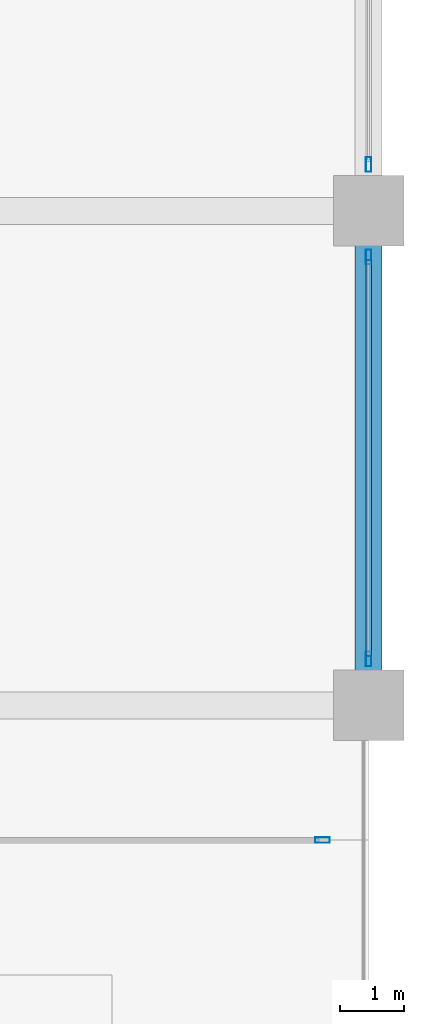
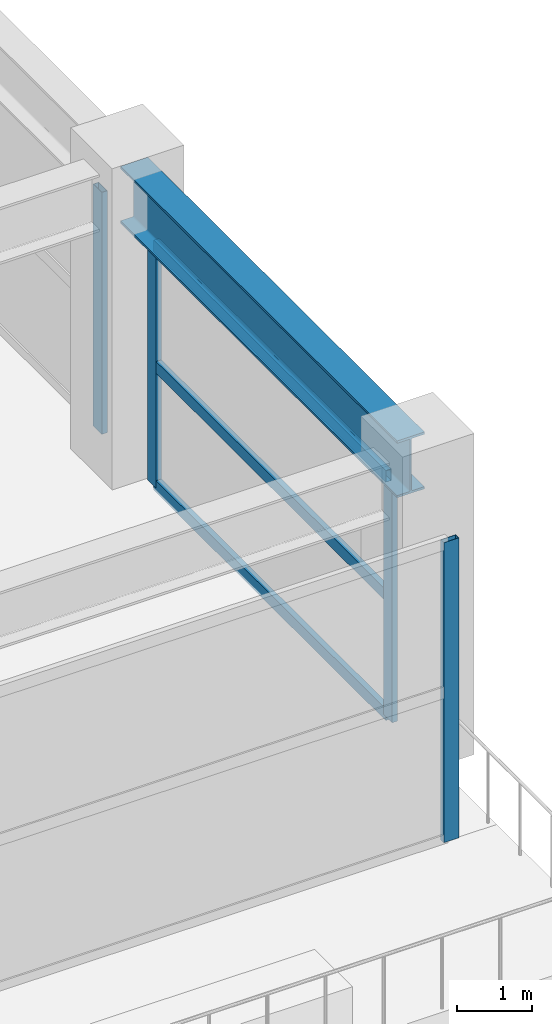
# One storey, part 22 of 35: 7 members, 1 beam, 3 elements without a shape of their own.
"""IFC4 building model written with IfcOpenShell, lengths in metres."""

from ifc_helpers import new_model, si_unit, direction, frame, origin, origin_2d, place, context, subcontext, project, spatial, hollow_rectangle, i_section, extrude, material, material_profile, profile_set, type_object, element, aggregate, save


model = new_model("IFC4")

# Units and contexts
model_context = context("Model", 3, precision=1e-05, world=origin(), true_north=direction((0.0, 1.0)))
body_context = subcontext(model_context, "Body", "Model", "MODEL_VIEW")
ifc_project = project(units=[si_unit("LENGTHUNIT", "METRE"), si_unit("AREAUNIT", "SQUARE_METRE"), si_unit("VOLUMEUNIT", "CUBIC_METRE"), si_unit("PLANEANGLEUNIT", "RADIAN"), si_unit("MASSUNIT", "GRAM", prefix="KILO")], contexts=[model_context])

# Site, building, storey
site_placement = place(None, origin())
site = spatial("IfcSite", under=ifc_project, at=site_placement, CompositionType="ELEMENT")
building_placement = place(site_placement, origin())
building = spatial("IfcBuilding", under=site, at=building_placement, Name="Kovane Verandah Tower", CompositionType="ELEMENT")
storey_placement = place(building_placement, frame((0.0, 0.0, 16.39990234375)))
storey = spatial("IfcBuildingStorey", under=building, at=storey_placement, Name="L03", CompositionType="ELEMENT", Elevation=16.39990234375)

# Beam
ifc_material_1 = material(Name="Steel S460", Category="steel")
ifc_material_profile_1 = material_profile(ifc_material_1, i_section(OverallWidth=0.42041015625, OverallDepth=0.9208984375, WebThickness=0.021484375, FlangeThickness=0.03662109375, FilletRadius=0.024169921875, at=origin_2d()), Name="UB914x419x388")
ifc_profile_set_1 = profile_set([ifc_material_profile_1], Name="Steel S460")
beam_type = type_object("IfcBeamType", Name="BM-UB914x388", PredefinedType="BEAM", material=ifc_profile_set_1)
beam_placement = place(storey_placement, frame((82.0, 10.97998046875, 4.439697265625), z_axis=(0.0, 1.0, 0.0), x_axis=(-1.0, 0.0, 0.0)))
element("IfcBeam", 1, at=beam_placement, inside=storey, type_object=beam_type, Name="L03 Podium Garden Transfer Girder Y40", PredefinedType="BEAM", context=body_context, shape_type="SweptSolid", body=[
    extrude(i_section(OverallWidth=0.42041015625, OverallDepth=0.9208984375, WebThickness=0.021484375, FlangeThickness=0.03662109375, FilletRadius=0.024169921875, at=origin_2d()), origin(), (0.0, 0.0, 1.0), 7.340087890625),
])

# Curtain wall, member
ifc_material_2 = material(Name="Champagne Anodised Aluminium Frame with Low-E Clear Laminated Glass", Category="aluminium")
curtain_wall_type = type_object("IfcCurtainWallType", Name="CW-SYS-01-POD", PredefinedType="NOTDEFINED", material=ifc_material_2)
curtain_wall_1_placement = place(storey_placement, origin())
curtain_wall_1 = element("IfcCurtainWall", 2, at=curtain_wall_1_placement, inside=storey, type_object=curtain_wall_type, Name="L03 South Podium Curtain Wall Bay 7.1", PredefinedType="NOTDEFINED")
ifc_material_3 = material(Name="Champagne Anodised Aluminium 6063-T6", Category="aluminium")
ifc_material_profile_2 = material_profile(ifc_material_3, hollow_rectangle(XDim=0.0849609375, YDim=0.22998046875, WallThickness=0.00390625, at=origin_2d()), Name="AL85x230x4")
ifc_profile_set_2 = profile_set([ifc_material_profile_2], Name="Champagne Anodised Aluminium 6063-T6")
member_type_1 = type_object("IfcMemberType", Name="CW-MUL-85x230", PredefinedType="MULLION", material=ifc_profile_set_2)
member_1_placement = place(storey_placement, frame((81.280029296875, 8.699951171875, 0.02001953125), z_axis=(0.0, 0.0, 1.0), x_axis=(0.0, -1.0, 0.0)))
member_1 = element("IfcMember", 3, at=member_1_placement, type_object=member_type_1, Name="L03 South Podium Curtain Wall Bay 7.1 Mullion 2", PredefinedType="MULLION", context=body_context, shape_type="SweptSolid", body=[
    extrude(hollow_rectangle(XDim=0.0849609375, YDim=0.22998046875, WallThickness=0.00390625, at=origin_2d()), origin(), (0.0, 0.0, 1.0), 4.860107421875),
])
aggregate(curtain_wall_1, [member_1])

# Curtain wall, members
curtain_wall_2_placement = place(storey_placement, origin())
curtain_wall_2 = element("IfcCurtainWall", 4, at=curtain_wall_2_placement, inside=storey, type_object=curtain_wall_type, Name="L03 East Podium Curtain Wall Bay 2", PredefinedType="NOTDEFINED")
member_2_placement = place(storey_placement, frame((82.0, 11.52001953125, 0.02001953125), z_axis=(0.0, 0.0, 1.0), x_axis=(1.0, 0.0, 0.0)))
member_2 = element("IfcMember", 5, at=member_2_placement, type_object=member_type_1, Name="L03 East Podium Curtain Wall Bay 2 Mullion 1", PredefinedType="MULLION", context=body_context, shape_type="SweptSolid", body=[
    extrude(hollow_rectangle(XDim=0.0849609375, YDim=0.22998046875, WallThickness=0.00390625, at=origin_2d()), origin(), (0.0, 0.0, 1.0), 3.919189453125),
])
member_3_placement = place(storey_placement, frame((82.0, 17.780029296875, 0.02001953125), z_axis=(0.0, 0.0, 1.0), x_axis=(1.0, 0.0, 0.0)))
member_3 = element("IfcMember", 6, at=member_3_placement, type_object=member_type_1, Name="L03 East Podium Curtain Wall Bay 2 Mullion 2", PredefinedType="MULLION", context=body_context, shape_type="SweptSolid", body=[
    extrude(hollow_rectangle(XDim=0.0849609375, YDim=0.22998046875, WallThickness=0.00390625, at=origin_2d()), origin(), (0.0, 0.0, 1.0), 3.919189453125),
])

# Curtain wall, member
curtain_wall_3_placement = place(storey_placement, origin())
curtain_wall_3 = element("IfcCurtainWall", 7, at=curtain_wall_3_placement, inside=storey, type_object=curtain_wall_type, Name="L03 East Podium Curtain Wall Bay 3", PredefinedType="NOTDEFINED")
member_4_placement = place(storey_placement, frame((82.0, 19.219970703125, 0.02001953125), z_axis=(0.0, 0.0, 1.0), x_axis=(1.0, 0.0, 0.0)))
member_4 = element("IfcMember", 8, at=member_4_placement, type_object=member_type_1, Name="L03 East Podium Curtain Wall Bay 3 Mullion 1", PredefinedType="MULLION", context=body_context, shape_type="SweptSolid", body=[
    extrude(hollow_rectangle(XDim=0.0849609375, YDim=0.22998046875, WallThickness=0.00390625, at=origin_2d()), origin(), (0.0, 0.0, 1.0), 3.919189453125),
])
aggregate(curtain_wall_3, [member_4])

# Member
ifc_material_profile_3 = material_profile(ifc_material_3, hollow_rectangle(XDim=0.0849609375, YDim=0.18994140625, WallThickness=0.00390625, at=origin_2d()), Name="AL85x190x4")
ifc_profile_set_3 = profile_set([ifc_material_profile_3], Name="Champagne Anodised Aluminium 6063-T6")
member_type_2 = type_object("IfcMemberType", Name="CW-TRN-85x190", PredefinedType="USERDEFINED", material=ifc_profile_set_3)
member_5_placement = place(storey_placement, frame((82.0, 11.570068359375, 0.050048828125), z_axis=(0.0, 1.0, 0.0), x_axis=(-1.0, 0.0, 0.0)))
member_5 = element("IfcMember", 9, at=member_5_placement, type_object=member_type_2, Name="L03 East Podium Curtain Wall Bay 2 Transom TB Bay 1", ObjectType="TRANSOM", PredefinedType="USERDEFINED", context=body_context, shape_type="SweptSolid", body=[
    extrude(hollow_rectangle(XDim=0.0849609375, YDim=0.18994140625, WallThickness=0.00390625, at=origin_2d()), origin(), (0.0, 0.0, 1.0), 6.159912109375),
])

member_6_placement = place(storey_placement, frame((82.0, 11.570068359375, 1.9794921875), z_axis=(0.0, 1.0, 0.0), x_axis=(-1.0, 0.0, 0.0)))
member_6 = element("IfcMember", 10, at=member_6_placement, type_object=member_type_2, Name="L03 East Podium Curtain Wall Bay 2 Transom TM Bay 1", ObjectType="TRANSOM", PredefinedType="USERDEFINED", context=body_context, shape_type="SweptSolid", body=[
    extrude(hollow_rectangle(XDim=0.0849609375, YDim=0.18994140625, WallThickness=0.00390625, at=origin_2d()), origin(), (0.0, 0.0, 1.0), 6.159912109375),
])

member_7_placement = place(storey_placement, frame((82.0, 11.570068359375, 3.9091796875), z_axis=(0.0, 1.0, 0.0), x_axis=(-1.0, 0.0, 0.0)))
member_7 = element("IfcMember", 11, at=member_7_placement, type_object=member_type_2, Name="L03 East Podium Curtain Wall Bay 2 Transom TT Bay 1", ObjectType="TRANSOM", PredefinedType="USERDEFINED", context=body_context, shape_type="SweptSolid", body=[
    extrude(hollow_rectangle(XDim=0.0849609375, YDim=0.18994140625, WallThickness=0.00390625, at=origin_2d()), origin(), (0.0, 0.0, 1.0), 6.159912109375),
])

aggregate(curtain_wall_2, [member_2, member_3, member_5, member_6, member_7])

save(model, "model.ifc")
